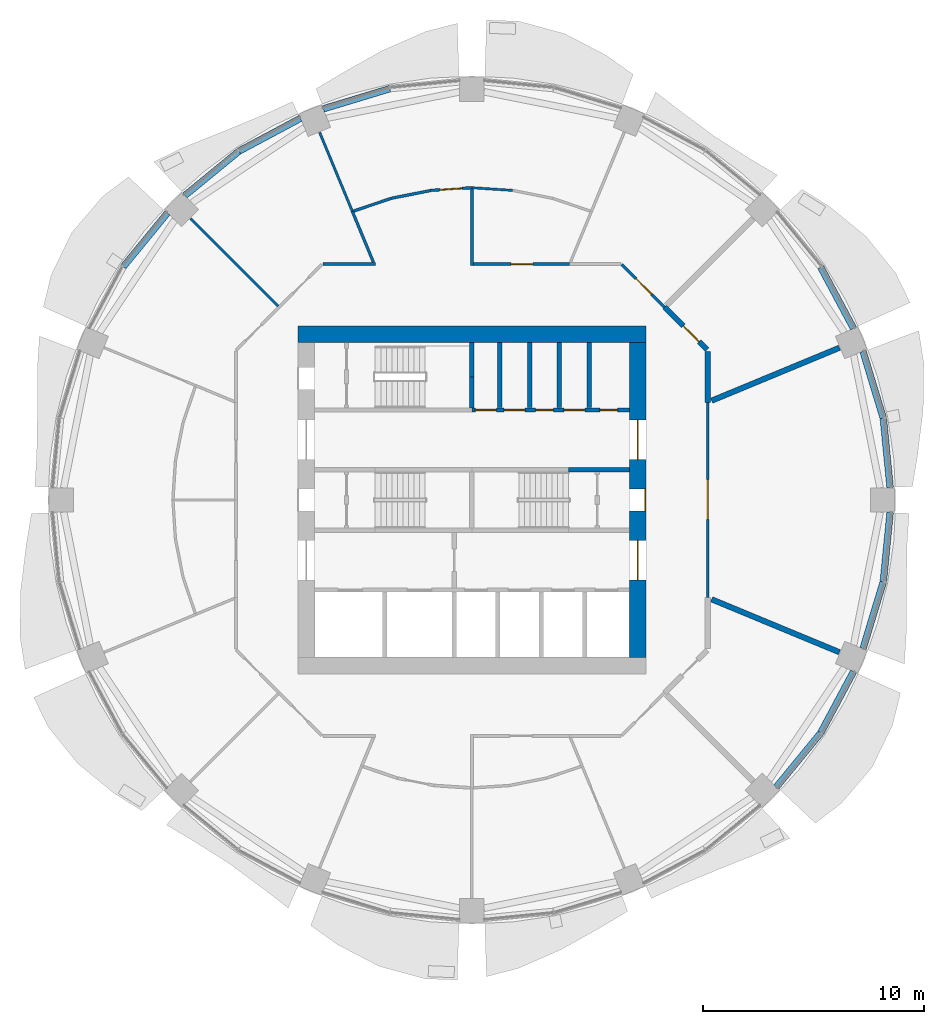
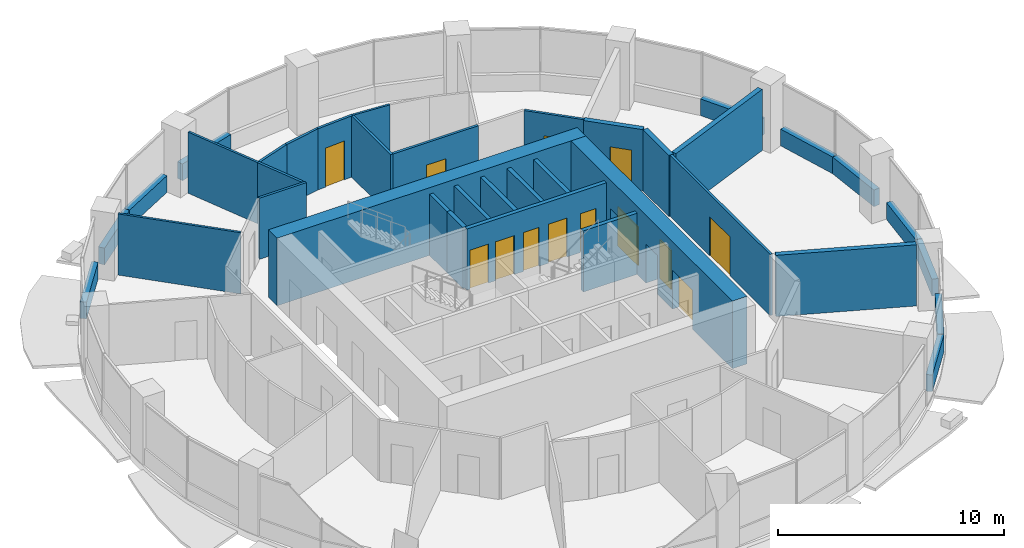
# One storey, part 9 of 14: 37 walls, 13 doors, 13 openings.
"""IFC4 building model written with IfcOpenShell, lengths in metres."""

from ifc_helpers import new_model, si_unit, direction, frame, frame_2d, origin, place, context, subcontext, project, spatial, rectangle, extrude, material, layer, layer_set, type_object, element, fill, save


model = new_model("IFC4")

# Units and contexts
model_context = context("Model", 3, precision=1e-05, world=origin(), true_north=direction((0.0, 1.0)))
body_context = subcontext(model_context, "Body", "Model", "MODEL_VIEW")
ifc_project = project(units=[si_unit("LENGTHUNIT", "METRE"), si_unit("AREAUNIT", "SQUARE_METRE"), si_unit("VOLUMEUNIT", "CUBIC_METRE"), si_unit("PLANEANGLEUNIT", "RADIAN"), si_unit("MASSUNIT", "GRAM", prefix="KILO")], contexts=[model_context])

# Site, building, storey
site_placement = place(None, origin())
site = spatial("IfcSite", under=ifc_project, at=site_placement, CompositionType="ELEMENT")
building_placement = place(site_placement, origin())
building = spatial("IfcBuilding", under=site, at=building_placement, Name="Polderwave Tower", CompositionType="ELEMENT")
storey_placement = place(building_placement, frame((0.0, 0.0, 109.25)))
storey = spatial("IfcBuildingStorey", under=building, at=storey_placement, Name="L28", CompositionType="ELEMENT", Elevation=109.25)

# Wall
ifc_material_1 = material(Name="Concrete C70/85", Category="concrete")
ifc_layer_1 = layer(ifc_material_1, 0.75)
ifc_layer_set_1 = layer_set([ifc_layer_1], Name="CORE WALL 750 C70/85")
wall_type_1 = type_object("IfcWallType", Name="CORE WALL 750 C70/85", PredefinedType="SHEAR", material=ifc_layer_set_1)
wall_1_placement = place(storey_placement, frame((-7.8740234375, 7.4990234375, 0.0), z_axis=(0.0, 0.0, 1.0), x_axis=(1.0, 0.0, 0.0)))
element("IfcWall", 1, at=wall_1_placement, inside=storey, type_object=wall_type_1, Name="ST-CORE-L28-N", PredefinedType="SHEAR", context=body_context, shape_type="SweptSolid", body=[
    extrude(rectangle(XDim=15.748046875, YDim=0.75, at=frame_2d((7.8740234375, 0.0))), origin(), (0.0, 0.0, 1.0), 3.64990234375),
])

# Wall, openings, doors
wall_2_placement = place(storey_placement, frame((7.4990234375, -7.1240234375, 0.0), z_axis=(0.0, 0.0, 1.0), x_axis=(0.0, 1.0, 0.0)))
wall_2 = element("IfcWall", 2, at=wall_2_placement, inside=storey, type_object=wall_type_1, Name="ST-CORE-L28-E", PredefinedType="SHEAR", context=body_context, shape_type="SweptSolid", body=[
    extrude(rectangle(XDim=14.248046875, YDim=0.75, at=frame_2d((7.1240234375, 0.0))), origin(), (0.0, 0.0, 1.0), 3.64990234375),
])
opening_1_placement = place(wall_2_placement, frame((6.6240234375, 0.0, 0.0)))
opening_1 = element("IfcOpeningElement", 3, at=opening_1_placement, cuts=wall_2, Name="Opening L28-D23", PredefinedType="OPENING", context=body_context, shape_type="SweptSolid", body=[
    extrude(rectangle(XDim=1.0, YDim=2.10009765625, at=frame_2d((0.5, 1.050048828125))), frame((0.0, 0.385009765625, 0.0), z_axis=(0.0, -1.0, 0.0), x_axis=(1.0, 0.0, 0.0)), (0.0, 0.0, 1.0), 0.77001953125),
])
opening_2_placement = place(wall_2_placement, frame((3.49951171875, 0.0, 0.0)))
opening_2 = element("IfcOpeningElement", 4, at=opening_2_placement, cuts=wall_2, Name="Opening L28-D24", PredefinedType="OPENING", context=body_context, shape_type="SweptSolid", body=[
    extrude(rectangle(XDim=1.800048828125, YDim=2.10009765625, at=frame_2d((0.89990234375, 1.050048828125))), frame((0.0, 0.385009765625, 0.0), z_axis=(0.0, -1.0, 0.0), x_axis=(1.0, 0.0, 0.0)), (0.0, 0.0, 1.0), 0.77001953125),
])
opening_3_placement = place(wall_2_placement, frame((8.948486328125, 0.0, 0.0)))
opening_3 = element("IfcOpeningElement", 5, at=opening_3_placement, cuts=wall_2, Name="Opening L28-D25", PredefinedType="OPENING", context=body_context, shape_type="SweptSolid", body=[
    extrude(rectangle(XDim=1.800048828125, YDim=2.10009765625, at=frame_2d((0.89990234375, 1.050048828125))), frame((0.0, 0.385009765625, 0.0), z_axis=(0.0, -1.0, 0.0), x_axis=(1.0, 0.0, 0.0)), (0.0, 0.0, 1.0), 0.77001953125),
])
ifc_material_2 = material(Name="Steel fire door", Category="steel")
door_type_1 = type_object("IfcDoorType", Name="Lobby entry door pair 1800", OperationType="DOUBLE_DOOR_SINGLE_SWING", PredefinedType="DOOR", material=ifc_material_2)
door_1_placement = place(opening_2_placement, frame((1.800048828125, 0.0, 0.0), z_axis=(0.0, 0.0, 1.0), x_axis=(-1.0, 0.0, 0.0)))
door_1 = element("IfcDoor", 6, at=door_1_placement, inside=storey, type_object=door_type_1, Name="South lobby entry door", OperationType="DOUBLE_DOOR_SINGLE_SWING", OverallHeight=2.10009765625, OverallWidth=1.800048828125, PredefinedType="DOOR", context=body_context, shape_type="SweptSolid", body=[
    extrude(rectangle(XDim=1.800048828125, YDim=2.10009765625, at=frame_2d((0.89990234375, 1.050048828125))), frame((0.0, 0.02490234375, 0.0), z_axis=(0.0, -1.0, 0.0), x_axis=(1.0, 0.0, 0.0)), (0.0, 0.0, 1.0), 0.050048828125),
])
fill(opening_2, door_1)
door_2_placement = place(opening_3_placement, frame((1.800048828125, 0.0, 0.0), z_axis=(0.0, 0.0, 1.0), x_axis=(-1.0, 0.0, 0.0)))
door_2 = element("IfcDoor", 7, at=door_2_placement, inside=storey, type_object=door_type_1, Name="North lobby entry door", OperationType="DOUBLE_DOOR_SINGLE_SWING", OverallHeight=2.10009765625, OverallWidth=1.800048828125, PredefinedType="DOOR", context=body_context, shape_type="SweptSolid", body=[
    extrude(rectangle(XDim=1.800048828125, YDim=2.10009765625, at=frame_2d((0.89990234375, 1.050048828125))), frame((0.0, 0.02490234375, 0.0), z_axis=(0.0, -1.0, 0.0), x_axis=(1.0, 0.0, 0.0)), (0.0, 0.0, 1.0), 0.050048828125),
])
fill(opening_3, door_2)
door_type_2 = type_object("IfcDoorType", Name="Stair door 1000", OperationType="NOTDEFINED", PredefinedType="DOOR", material=ifc_material_2)
door_3_placement = place(opening_1_placement, frame((1.0, 0.0, 0.0), z_axis=(0.0, 0.0, 1.0), x_axis=(-1.0, 0.0, 0.0)))
door_3 = element("IfcDoor", 8, at=door_3_placement, inside=storey, type_object=door_type_2, Name="Stair B entry door", OperationType="SINGLE_SWING_LEFT", OverallHeight=2.10009765625, OverallWidth=1.0, PredefinedType="DOOR", context=body_context, shape_type="SweptSolid", body=[
    extrude(rectangle(XDim=1.0, YDim=2.10009765625, at=frame_2d((0.5, 1.050048828125))), frame((0.0, 0.375, 0.0), z_axis=(0.0, -1.0, 0.0), x_axis=(1.0, 0.0, 0.0)), (0.0, 0.0, 1.0), 0.050048828125),
])
fill(opening_1, door_3)

# Walls
ifc_material_3 = material(Name="Concrete C50/60 (board-marked)", Category="concrete")
ifc_layer_2 = layer(ifc_material_3, 0.300048828125)
ifc_layer_set_2 = layer_set([ifc_layer_2], Name="Concrete spandrel upstand C50/60")
wall_type_2 = type_object("IfcWallType", Name="Concrete spandrel upstand C50/60", PredefinedType="SOLIDWALL", material=ifc_layer_set_2)
wall_3_placement = place(storey_placement, frame((18.924560546875, 0.56396484375, 0.0), z_axis=(0.0, 0.0, 1.0), x_axis=(-0.098148390136, 0.995171790956, 0.0)))
element("IfcWall", 9, at=wall_3_placement, inside=storey, type_object=wall_type_2, Name="Spandrel L28 1a", PredefinedType="SOLIDWALL", context=body_context, shape_type="SweptSolid", body=[
    extrude(rectangle(XDim=3.13916015625, YDim=0.300048828125, at=frame_2d((1.569580078125, 0.0))), origin(), (0.0, 0.0, 1.0), 0.89990234375),
])
wall_4_placement = place(storey_placement, frame((18.610595703125, 3.71728515625, 0.0), z_axis=(0.0, 0.0, 1.0), x_axis=(-0.290214584271, 0.956961595403, 0.0)))
element("IfcWall", 10, at=wall_4_placement, inside=storey, type_object=wall_type_2, Name="Spandrel L28 1b", PredefinedType="SOLIDWALL", context=body_context, shape_type="SweptSolid", body=[
    extrude(rectangle(XDim=3.139404296875, YDim=0.300048828125, at=frame_2d((1.56982421875, 0.0))), origin(), (0.0, 0.0, 1.0), 0.89990234375),
])
wall_5_placement = place(storey_placement, frame((17.267822265625, 7.76318359375, 0.0), z_axis=(0.0, 0.0, 1.0), x_axis=(-0.471375185282, 0.88193278355, 0.0)))
element("IfcWall", 11, at=wall_5_placement, inside=storey, type_object=wall_type_2, Name="Spandrel L28 2a", PredefinedType="SOLIDWALL", context=body_context, shape_type="SweptSolid", body=[
    extrude(rectangle(XDim=3.13916015625, YDim=0.300048828125, at=frame_2d((1.569580078125, 0.0))), origin(), (0.0, 0.0, 1.0), 0.89990234375),
])
wall_6_placement = place(storey_placement, frame((-3.71728515625, 18.610595703125, 0.0), z_axis=(0.0, 0.0, 1.0), x_axis=(-0.956961595403, -0.290214584271, 0.0)))
element("IfcWall", 12, at=wall_6_placement, inside=storey, type_object=wall_type_2, Name="Spandrel L28 5b", PredefinedType="SOLIDWALL", context=body_context, shape_type="SweptSolid", body=[
    extrude(rectangle(XDim=3.139404296875, YDim=0.300048828125, at=frame_2d((1.56982421875, 0.0))), origin(), (0.0, 0.0, 1.0), 0.89990234375),
])
wall_7_placement = place(storey_placement, frame((-7.76318359375, 17.267822265625, 0.0), z_axis=(0.0, 0.0, 1.0), x_axis=(-0.88193278355, -0.471375185282, 0.0)))
element("IfcWall", 13, at=wall_7_placement, inside=storey, type_object=wall_type_2, Name="Spandrel L28 6a", PredefinedType="SOLIDWALL", context=body_context, shape_type="SweptSolid", body=[
    extrude(rectangle(XDim=3.13916015625, YDim=0.300048828125, at=frame_2d((1.569580078125, 0.0))), origin(), (0.0, 0.0, 1.0), 0.89990234375),
])
for number, where, z_axis, x_axis, name in (
    (14, (-10.556640625, 15.771484375, 0.0), (0.0, 0.0, 1.0), (-0.773107597536, -0.634274895162, 0.0), "Spandrel L28 6b"),
    (15, (-13.780517578125, 12.9833984375, 0.0), (0.0, 0.0, 1.0), (-0.634274895162, -0.773107597536, 0.0), "Spandrel L28 7a"),
    (16, (13.780517578125, -12.9833984375, 0.0), (0.0, 0.0, 1.0), (0.634274895162, 0.773107597536, 0.0), "Spandrel L28 15a"),
):
    element("IfcWall", number, at=place(storey_placement, frame(where, z_axis=z_axis, x_axis=x_axis)), inside=storey, type_object=wall_type_2, Name=name, PredefinedType="SOLIDWALL", context=body_context, shape_type="SweptSolid", body=[
        extrude(rectangle(XDim=3.138916015625, YDim=0.300048828125, at=frame_2d((1.5693359375, 0.0))), origin(), (0.0, 0.0, 1.0), 0.89990234375),
    ])
wall_8_placement = place(storey_placement, frame((15.7880859375, -10.53173828125, 0.0), z_axis=(0.0, 0.0, 1.0), x_axis=(0.471375185282, 0.88193278355, 0.0)))
element("IfcWall", 17, at=wall_8_placement, inside=storey, type_object=wall_type_2, Name="Spandrel L28 15b", PredefinedType="SOLIDWALL", context=body_context, shape_type="SweptSolid", body=[
    extrude(rectangle(XDim=3.13916015625, YDim=0.300048828125, at=frame_2d((1.569580078125, 0.0))), origin(), (0.0, 0.0, 1.0), 0.89990234375),
])
wall_9_placement = place(storey_placement, frame((17.699462890625, -6.7216796875, 0.0), z_axis=(0.0, 0.0, 1.0), x_axis=(0.290214584271, 0.956961595403, 0.0)))
element("IfcWall", 18, at=wall_9_placement, inside=storey, type_object=wall_type_2, Name="Spandrel L28 16a", PredefinedType="SOLIDWALL", context=body_context, shape_type="SweptSolid", body=[
    extrude(rectangle(XDim=3.139404296875, YDim=0.300048828125, at=frame_2d((1.56982421875, 0.0))), origin(), (0.0, 0.0, 1.0), 0.89990234375),
])
wall_10_placement = place(storey_placement, frame((18.616455078125, -3.68798828125, 0.0), z_axis=(0.0, 0.0, 1.0), x_axis=(0.098148390136, 0.995171790956, 0.0)))
element("IfcWall", 19, at=wall_10_placement, inside=storey, type_object=wall_type_2, Name="Spandrel L28 16b", PredefinedType="SOLIDWALL", context=body_context, shape_type="SweptSolid", body=[
    extrude(rectangle(XDim=3.13916015625, YDim=0.300048828125, at=frame_2d((1.569580078125, 0.0))), origin(), (0.0, 0.0, 1.0), 0.89990234375),
])
ifc_material_4 = material(Name="Gypsum board partition")
ifc_layer_3 = layer(ifc_material_4, 0.199951171875)
ifc_layer_set_3 = layer_set([ifc_layer_3], Name="Core room partition 200")
wall_type_3 = type_object("IfcWallType", Name="Core room partition 200", PredefinedType="PARTITIONING", material=ifc_layer_set_3)
for number, where, z_axis, x_axis, name in (
    (20, (1.260009765625, 4.174072265625, 0.0), (0.0, 0.0, 1.0), (0.0, 1.0, 0.0), "L28 room partition N1"),
    (21, (2.608642578125, 4.174072265625, 0.0), (0.0, 0.0, 1.0), (0.0, 1.0, 0.0), "L28 room partition N2"),
    (22, (3.95703125, 4.174072265625, 0.0), (0.0, 0.0, 1.0), (0.0, 1.0, 0.0), "L28 room partition N3"),
):
    element("IfcWall", number, at=place(storey_placement, frame(where, z_axis=z_axis, x_axis=x_axis)), inside=storey, type_object=wall_type_3, Name=name, PredefinedType="PARTITIONING", context=body_context, shape_type="SweptSolid", body=[
        extrude(rectangle(XDim=2.949951171875, YDim=0.199951171875, at=frame_2d((1.47509765625, 0.0))), origin(), (0.0, 0.0, 1.0), 3.300048828125),
    ])

# Wall, openings, doors
ifc_material_5 = material(Name="Concrete C50/60", Category="concrete")
ifc_layer_4 = layer(ifc_material_5, 0.199951171875)
ifc_layer_set_4 = layer_set([ifc_layer_4], Name="Core web wall 200")
wall_type_4 = type_object("IfcWallType", Name="Core web wall 200", PredefinedType="SHEAR", material=ifc_layer_set_4)
wall_11_placement = place(storey_placement, frame((0.0, 4.073974609375, 0.0), z_axis=(0.0, 0.0, 1.0), x_axis=(1.0, 0.0, 0.0)))
wall_11 = element("IfcWall", 23, at=wall_11_placement, inside=storey, type_object=wall_type_4, Name="L28 north front wall 2", PredefinedType="SHEAR", context=body_context, shape_type="SweptSolid", body=[
    extrude(rectangle(XDim=7.1240234375, YDim=0.199951171875, at=frame_2d((3.56201171875, 0.0))), origin(), (0.0, 0.0, 1.0), 3.300048828125),
])
opening_4_placement = place(wall_11_placement, frame((0.155029296875, 0.0, 0.0)))
opening_4 = element("IfcOpeningElement", 24, at=opening_4_placement, cuts=wall_11, Name="Opening L28-D14", PredefinedType="OPENING", context=body_context, shape_type="SweptSolid", body=[
    extrude(rectangle(XDim=0.949951171875, YDim=2.10009765625, at=frame_2d((0.47509765625, 1.050048828125))), frame((0.0, 0.10986328125, 0.0), z_axis=(0.0, -1.0, 0.0), x_axis=(1.0, 0.0, 0.0)), (0.0, 0.0, 1.0), 0.219970703125),
])
opening_5_placement = place(wall_11_placement, frame((1.459228515625, 0.0, 0.0)))
opening_5 = element("IfcOpeningElement", 25, at=opening_5_placement, cuts=wall_11, Name="Opening L28-D15", PredefinedType="OPENING", context=body_context, shape_type="SweptSolid", body=[
    extrude(rectangle(XDim=0.949951171875, YDim=2.10009765625, at=frame_2d((0.47509765625, 1.050048828125))), frame((0.0, 0.10986328125, 0.0), z_axis=(0.0, -1.0, 0.0), x_axis=(1.0, 0.0, 0.0)), (0.0, 0.0, 1.0), 0.219970703125),
])
opening_6_placement = place(wall_11_placement, frame((2.8828125, 0.0, 0.0)))
opening_6 = element("IfcOpeningElement", 26, at=opening_6_placement, cuts=wall_11, Name="Opening L28-D16", PredefinedType="OPENING", context=body_context, shape_type="SweptSolid", body=[
    extrude(rectangle(XDim=0.800048828125, YDim=2.10009765625, at=frame_2d((0.39990234375, 1.050048828125))), frame((0.0, 0.10986328125, 0.0), z_axis=(0.0, -1.0, 0.0), x_axis=(1.0, 0.0, 0.0)), (0.0, 0.0, 1.0), 0.219970703125),
])
opening_7_placement = place(wall_11_placement, frame((4.15625, 0.0, 0.0)))
opening_7 = element("IfcOpeningElement", 27, at=opening_7_placement, cuts=wall_11, Name="Opening L28-D17", PredefinedType="OPENING", context=body_context, shape_type="SweptSolid", body=[
    extrude(rectangle(XDim=0.949951171875, YDim=2.10009765625, at=frame_2d((0.47509765625, 1.050048828125))), frame((0.0, 0.10986328125, 0.0), z_axis=(0.0, -1.0, 0.0), x_axis=(1.0, 0.0, 0.0)), (0.0, 0.0, 1.0), 0.219970703125),
])
opening_8_placement = place(wall_11_placement, frame((5.789794921875, 0.0, 0.0)))
opening_8 = element("IfcOpeningElement", 28, at=opening_8_placement, cuts=wall_11, Name="Opening L28-D18", PredefinedType="OPENING", context=body_context, shape_type="SweptSolid", body=[
    extrude(rectangle(XDim=0.800048828125, YDim=2.10009765625, at=frame_2d((0.39990234375, 1.050048828125))), frame((0.0, 0.10986328125, 0.0), z_axis=(0.0, -1.0, 0.0), x_axis=(1.0, 0.0, 0.0)), (0.0, 0.0, 1.0), 0.219970703125),
])
door_type_3 = type_object("IfcDoorType", Name="Riser door 800", OperationType="NOTDEFINED", PredefinedType="DOOR", material=ifc_material_2)
door_4_placement = place(opening_6_placement, frame((0.800048828125, 0.0, 0.0), z_axis=(0.0, 0.0, 1.0), x_axis=(-1.0, 0.0, 0.0)))
door_4 = element("IfcDoor", 29, at=door_4_placement, inside=storey, type_object=door_type_3, Name="Electrical room door", OperationType="SINGLE_SWING_RIGHT", OverallHeight=2.10009765625, OverallWidth=0.800048828125, PredefinedType="DOOR", context=body_context, shape_type="SweptSolid", body=[
    extrude(rectangle(XDim=0.800048828125, YDim=2.10009765625, at=frame_2d((0.39990234375, 1.050048828125))), frame((0.0, 0.02490234375, 0.0), z_axis=(0.0, -1.0, 0.0), x_axis=(1.0, 0.0, 0.0)), (0.0, 0.0, 1.0), 0.050048828125),
])
fill(opening_6, door_4)
door_5_placement = place(opening_8_placement, frame((0.800048828125, 0.0, 0.0), z_axis=(0.0, 0.0, 1.0), x_axis=(-1.0, 0.0, 0.0)))
door_5 = element("IfcDoor", 30, at=door_5_placement, inside=storey, type_object=door_type_3, Name="Riser door", OperationType="SINGLE_SWING_LEFT", OverallHeight=2.10009765625, OverallWidth=0.800048828125, PredefinedType="DOOR", context=body_context, shape_type="SweptSolid", body=[
    extrude(rectangle(XDim=0.800048828125, YDim=2.10009765625, at=frame_2d((0.39990234375, 1.050048828125))), frame((0.0, 0.02490234375, 0.0), z_axis=(0.0, -1.0, 0.0), x_axis=(1.0, 0.0, 0.0)), (0.0, 0.0, 1.0), 0.050048828125),
])
fill(opening_8, door_5)
ifc_material_6 = material(Name="Timber door leaf", Category="wood")
door_type_4 = type_object("IfcDoorType", Name="Room door 950", OperationType="NOTDEFINED", PredefinedType="DOOR", material=ifc_material_6)
door_6_placement = place(opening_4_placement, origin())
door_6 = element("IfcDoor", 31, at=door_6_placement, inside=storey, type_object=door_type_4, Name="Staff WC door", OperationType="SINGLE_SWING_LEFT", OverallHeight=2.10009765625, OverallWidth=0.949951171875, PredefinedType="DOOR", context=body_context, shape_type="SweptSolid", body=[
    extrude(rectangle(XDim=0.949951171875, YDim=2.10009765625, at=frame_2d((0.47509765625, 1.050048828125))), frame((0.0, 0.02490234375, 0.0), z_axis=(0.0, -1.0, 0.0), x_axis=(1.0, 0.0, 0.0)), (0.0, 0.0, 1.0), 0.050048828125),
])
fill(opening_4, door_6)
door_7_placement = place(opening_5_placement, origin())
door_7 = element("IfcDoor", 32, at=door_7_placement, inside=storey, type_object=door_type_4, Name="Refuse store door", OperationType="SINGLE_SWING_LEFT", OverallHeight=2.10009765625, OverallWidth=0.949951171875, PredefinedType="DOOR", context=body_context, shape_type="SweptSolid", body=[
    extrude(rectangle(XDim=0.949951171875, YDim=2.10009765625, at=frame_2d((0.47509765625, 1.050048828125))), frame((0.0, 0.02490234375, 0.0), z_axis=(0.0, -1.0, 0.0), x_axis=(1.0, 0.0, 0.0)), (0.0, 0.0, 1.0), 0.050048828125),
])
fill(opening_5, door_7)
door_8_placement = place(opening_7_placement, origin())
door_8 = element("IfcDoor", 33, at=door_8_placement, inside=storey, type_object=door_type_4, Name="Seed store door", OperationType="SINGLE_SWING_RIGHT", OverallHeight=2.10009765625, OverallWidth=0.949951171875, PredefinedType="DOOR", context=body_context, shape_type="SweptSolid", body=[
    extrude(rectangle(XDim=0.949951171875, YDim=2.10009765625, at=frame_2d((0.47509765625, 1.050048828125))), frame((0.0, 0.02490234375, 0.0), z_axis=(0.0, -1.0, 0.0), x_axis=(1.0, 0.0, 0.0)), (0.0, 0.0, 1.0), 0.050048828125),
])
fill(opening_7, door_8)

# Walls
wall_12_placement = place(storey_placement, frame((4.3740234375, 1.375, 0.0), z_axis=(0.0, 0.0, 1.0), x_axis=(1.0, 0.0, 0.0)))
element("IfcWall", 34, at=wall_12_placement, inside=storey, type_object=wall_type_4, Name="L28 north stair wall 4", PredefinedType="SHEAR", context=body_context, shape_type="SweptSolid", body=[
    extrude(rectangle(XDim=2.75, YDim=0.199951171875, at=frame_2d((1.375, 0.0))), origin(), (0.0, 0.0, 1.0), 3.300048828125),
])
wall_13_placement = place(storey_placement, frame((0.0, 4.174072265625, 0.0), z_axis=(0.0, 0.0, 1.0), x_axis=(0.0, 1.0, 0.0)))
element("IfcWall", 35, at=wall_13_placement, inside=storey, type_object=wall_type_4, Name="L28 stair C wall south", PredefinedType="SHEAR", context=body_context, shape_type="SweptSolid", body=[
    extrude(rectangle(XDim=1.39990234375, YDim=0.199951171875, at=frame_2d((0.699951171875, 0.0))), origin(), (0.0, 0.0, 1.0), 3.300048828125),
])
wall_14_placement = place(storey_placement, frame((0.0, 5.573974609375, 0.0), z_axis=(0.0, 0.0, 1.0), x_axis=(0.0, 1.0, 0.0)))
element("IfcWall", 36, at=wall_14_placement, inside=storey, type_object=wall_type_4, Name="L28 stair C wall north", PredefinedType="SHEAR", context=body_context, shape_type="SweptSolid", body=[
    extrude(rectangle(XDim=1.550048828125, YDim=0.199951171875, at=frame_2d((0.77490234375, 0.0))), origin(), (0.0, 0.0, 1.0), 3.300048828125),
])

# Wall, opening, door
ifc_material_7 = material(Name="Fire-resisting board on steel studs", Category="steel")
ifc_layer_5 = layer(ifc_material_7, 0.125)
ifc_layer_set_5 = layer_set([ifc_layer_5], Name="Corridor wall 125 mm EI 60")
wall_type_5 = type_object("IfcWallType", Name="Corridor wall 125 mm EI 60", PredefinedType="PARTITIONING", material=ifc_layer_set_5)
wall_15_placement = place(storey_placement, frame((10.674072265625, 4.42138671875, 0.0), z_axis=(0.0, 0.0, 1.0), x_axis=(0.0, -1.0, 0.0)))
wall_15 = element("IfcWall", 37, at=wall_15_placement, inside=storey, type_object=wall_type_5, Name="IN-L28-W001", PredefinedType="PARTITIONING", context=body_context, shape_type="SweptSolid", body=[
    extrude(rectangle(XDim=8.8427734375, YDim=0.125, at=frame_2d((4.42138671875, 0.0))), origin(), (0.0, 0.0, 1.0), 3.300048828125),
])
opening_9_placement = place(wall_15_placement, frame((3.5, 0.0, 0.0)))
opening_9 = element("IfcOpeningElement", 38, at=opening_9_placement, cuts=wall_15, Name="Opening L28-D50", PredefinedType="OPENING", context=body_context, shape_type="SweptSolid", body=[
    extrude(rectangle(XDim=1.800048828125, YDim=2.10009765625, at=frame_2d((0.89990234375, 1.050048828125))), frame((0.0, 0.072509765625, 0.0), z_axis=(0.0, -1.0, 0.0), x_axis=(1.0, 0.0, 0.0)), (0.0, 0.0, 1.0), 0.14501953125),
])
ifc_material_8 = material(Name="Timber fire door leaves", Category="wood")
door_type_5 = type_object("IfcDoorType", Name="Double fire door FD30S 1800 x 2100", OperationType="NOTDEFINED", PredefinedType="DOOR", material=ifc_material_8)
door_9_placement = place(opening_9_placement, origin())
door_9 = element("IfcDoor", 39, at=door_9_placement, inside=storey, type_object=door_type_5, Name="Door L28-D50", OperationType="DOUBLE_DOOR_SINGLE_SWING", OverallHeight=2.10009765625, OverallWidth=1.800048828125, PredefinedType="DOOR", context=body_context, shape_type="SweptSolid", body=[
    extrude(rectangle(XDim=1.800048828125, YDim=2.10009765625, at=frame_2d((0.89990234375, 1.050048828125))), frame((0.0, 0.02490234375, 0.0), z_axis=(0.0, -1.0, 0.0), x_axis=(1.0, 0.0, 0.0)), (0.0, 0.0, 1.0), 0.050048828125),
])
fill(opening_9, door_9)

wall_16_placement = place(storey_placement, frame((6.789306640625, 10.65576171875, 0.0), z_axis=(0.0, 0.0, 1.0), x_axis=(0.707062130741, -0.707151428813, 0.0)))
wall_16 = element("IfcWall", 40, at=wall_16_placement, inside=storey, type_object=wall_type_5, Name="IN-L28-W007", PredefinedType="PARTITIONING", context=body_context, shape_type="SweptSolid", body=[
    extrude(rectangle(XDim=2.73388671875, YDim=0.125, at=frame_2d((1.366943359375, 0.0))), origin(), (0.0, 0.0, 1.0), 3.300048828125),
])
opening_10_placement = place(wall_16_placement, frame((0.89990234375, 0.0, 0.0)))
opening_10 = element("IfcOpeningElement", 41, at=opening_10_placement, cuts=wall_16, Name="Opening L28-D53", PredefinedType="OPENING", context=body_context, shape_type="SweptSolid", body=[
    extrude(rectangle(XDim=1.0, YDim=2.10009765625, at=frame_2d((0.5, 1.050048828125))), frame((0.0, 0.072509765625, 0.0), z_axis=(0.0, -1.0, 0.0), x_axis=(1.0, 0.0, 0.0)), (0.0, 0.0, 1.0), 0.14501953125),
])
ifc_material_9 = material(Name="Timber fire door leaf", Category="wood")
door_type_6 = type_object("IfcDoorType", Name="Fire door FD30S 1000 x 2100", OperationType="NOTDEFINED", PredefinedType="DOOR", material=ifc_material_9)
door_10_placement = place(opening_10_placement, origin())
door_10 = element("IfcDoor", 42, at=door_10_placement, inside=storey, type_object=door_type_6, Name="Door L28-D53", OperationType="SINGLE_SWING_RIGHT", OverallHeight=2.10009765625, OverallWidth=1.0, PredefinedType="DOOR", context=body_context, shape_type="SweptSolid", body=[
    extrude(rectangle(XDim=1.0, YDim=2.10009765625, at=frame_2d((0.5, 1.050048828125))), frame((0.0, 0.02490234375, 0.0), z_axis=(0.0, -1.0, 0.0), x_axis=(1.0, 0.0, 0.0)), (0.0, 0.0, 1.0), 0.050048828125),
])
fill(opening_10, door_10)

wall_17_placement = place(storey_placement, frame((0.0625, 10.674072265625, 0.0), z_axis=(0.0, 0.0, 1.0), x_axis=(1.0, 0.0, 0.0)))
wall_17 = element("IfcWall", 43, at=wall_17_placement, inside=storey, type_object=wall_type_5, Name="IN-L28-W008", PredefinedType="PARTITIONING", context=body_context, shape_type="SweptSolid", body=[
    extrude(rectangle(XDim=4.35888671875, YDim=0.125, at=frame_2d((2.179443359375, 0.0))), origin(), (0.0, 0.0, 1.0), 3.300048828125),
])
opening_11_placement = place(wall_17_placement, frame((1.699951171875, 0.0, 0.0)))
opening_11 = element("IfcOpeningElement", 44, at=opening_11_placement, cuts=wall_17, Name="Opening L28-D54", PredefinedType="OPENING", context=body_context, shape_type="SweptSolid", body=[
    extrude(rectangle(XDim=1.0, YDim=2.10009765625, at=frame_2d((0.5, 1.050048828125))), frame((0.0, 0.072509765625, 0.0), z_axis=(0.0, -1.0, 0.0), x_axis=(1.0, 0.0, 0.0)), (0.0, 0.0, 1.0), 0.14501953125),
])
door_11_placement = place(opening_11_placement, origin())
door_11 = element("IfcDoor", 45, at=door_11_placement, inside=storey, type_object=door_type_6, Name="Door L28-D54", OperationType="SINGLE_SWING_RIGHT", OverallHeight=2.10009765625, OverallWidth=1.0, PredefinedType="DOOR", context=body_context, shape_type="SweptSolid", body=[
    extrude(rectangle(XDim=1.0, YDim=2.10009765625, at=frame_2d((0.5, 1.050048828125))), frame((0.0, 0.02490234375, 0.0), z_axis=(0.0, -1.0, 0.0), x_axis=(1.0, 0.0, 0.0)), (0.0, 0.0, 1.0), 0.050048828125),
])
fill(opening_11, door_11)

# Walls
wall_18_placement = place(storey_placement, frame((-6.7451171875, 10.674072265625, 0.0), z_axis=(0.0, 0.0, 1.0), x_axis=(1.0, 0.0, 0.0)))
element("IfcWall", 46, at=wall_18_placement, inside=storey, type_object=wall_type_5, Name="IN-L28-W010", PredefinedType="PARTITIONING", context=body_context, shape_type="SweptSolid", body=[
    extrude(rectangle(XDim=2.38623046875, YDim=0.125, at=frame_2d((1.193115234375, 0.0))), origin(), (0.0, 0.0, 1.0), 3.300048828125),
])
wall_19_placement = place(storey_placement, frame((0.0, 10.611572265625, 0.0), z_axis=(0.0, 0.0, 1.0), x_axis=(0.0, 1.0, 0.0)))
element("IfcWall", 47, at=wall_19_placement, inside=storey, type_object=wall_type_5, Name="IN-L28-W030", PredefinedType="PARTITIONING", context=body_context, shape_type="SweptSolid", body=[
    extrude(rectangle(XDim=3.45166015625, YDim=0.125, at=frame_2d((1.725830078125, 0.0))), origin(), (0.0, 0.0, 1.0), 3.300048828125),
])
wall_20_placement = place(storey_placement, frame((-3.660888671875, 13.647216796875, 0.0), z_axis=(0.0, 0.0, 1.0), x_axis=(-0.946896580983, -0.321538279095, 0.0)))
element("IfcWall", 48, at=wall_20_placement, inside=storey, type_object=wall_type_5, Name="IN-L28-W031", PredefinedType="PARTITIONING", context=body_context, shape_type="SweptSolid", body=[
    extrude(rectangle(XDim=1.777587890625, YDim=0.125, at=frame_2d((0.888671875, 0.0))), origin(), (0.0, 0.0, 1.0), 3.300048828125),
])
wall_21_placement = place(storey_placement, frame((-1.848388671875, 14.00830078125, 0.0), z_axis=(0.0, 0.0, 1.0), x_axis=(-0.980794424524, -0.195044345786, 0.0)))
element("IfcWall", 49, at=wall_21_placement, inside=storey, type_object=wall_type_5, Name="IN-L28-W032", PredefinedType="PARTITIONING", context=body_context, shape_type="SweptSolid", body=[
    extrude(rectangle(XDim=1.840087890625, YDim=0.125, at=frame_2d((0.919921875, 0.0))), origin(), (0.0, 0.0, 1.0), 3.300048828125),
])

# Wall, opening, door
wall_22_placement = place(storey_placement, frame((-1.840087890625, 14.009521484375, 0.0), z_axis=(0.0, 0.0, 1.0), x_axis=(0.9978675644, 0.065271156859, 0.0)))
wall_22 = element("IfcWall", 50, at=wall_22_placement, inside=storey, type_object=wall_type_5, Name="IN-L28-W033", PredefinedType="PARTITIONING", context=body_context, shape_type="SweptSolid", body=[
    extrude(rectangle(XDim=1.843994140625, YDim=0.125, at=frame_2d((0.921875, 0.0))), origin(), (0.0, 0.0, 1.0), 3.300048828125),
])
opening_12_placement = place(wall_22_placement, frame((0.39990234375, 0.0, 0.0)))
opening_12 = element("IfcOpeningElement", 51, at=opening_12_placement, cuts=wall_22, Name="Opening L28-D63", PredefinedType="OPENING", context=body_context, shape_type="SweptSolid", body=[
    extrude(rectangle(XDim=1.0, YDim=2.10009765625, at=frame_2d((0.5, 1.050048828125))), frame((0.0, 0.072509765625, 0.0), z_axis=(0.0, -1.0, 0.0), x_axis=(1.0, 0.0, 0.0)), (0.0, 0.0, 1.0), 0.14501953125),
])
door_12_placement = place(opening_12_placement, origin())
door_12 = element("IfcDoor", 52, at=door_12_placement, inside=storey, type_object=door_type_6, Name="Door L28-D63", OperationType="SINGLE_SWING_LEFT", OverallHeight=2.10009765625, OverallWidth=1.0, PredefinedType="DOOR", context=body_context, shape_type="SweptSolid", body=[
    extrude(rectangle(XDim=1.0, YDim=2.10009765625, at=frame_2d((0.5, 1.050048828125))), frame((0.0, 0.02490234375, 0.0), z_axis=(0.0, -1.0, 0.0), x_axis=(1.0, 0.0, 0.0)), (0.0, 0.0, 1.0), 0.050048828125),
])
fill(opening_12, door_12)

# Walls
wall_23_placement = place(storey_placement, frame((-4.45703125, 10.760498046875, 0.0), z_axis=(0.0, 0.0, 1.0), x_axis=(-0.38268757567, 0.923877816288, 0.0)))
element("IfcWall", 53, at=wall_23_placement, inside=storey, type_object=wall_type_5, Name="IN-L28-W035", PredefinedType="PARTITIONING", context=body_context, shape_type="SweptSolid", body=[
    extrude(rectangle(XDim=2.48291015625, YDim=0.125, at=frame_2d((1.241455078125, 0.0))), origin(), (0.0, 0.0, 1.0), 3.300048828125),
])
ifc_material_10 = material(Name="Moisture-resistant board on steel studs, tiled", Category="steel")
ifc_layer_6 = layer(ifc_material_10, 0.10498046875)
ifc_layer_set_6 = layer_set([ifc_layer_6], Name="Partition 105 mm wet room board and tile")
wall_type_6 = type_object("IfcWallType", Name="Partition 105 mm wet room board and tile", PredefinedType="PARTITIONING", material=ifc_layer_set_6)
wall_24_placement = place(storey_placement, frame((0.0, 14.1298828125, 0.0), z_axis=(0.0, 0.0, 1.0), x_axis=(0.997860630529, -0.065377075793, 0.0)))
element("IfcWall", 54, at=wall_24_placement, inside=storey, type_object=wall_type_6, Name="IN-L28-W027", PredefinedType="PARTITIONING", context=body_context, shape_type="SweptSolid", body=[
    extrude(rectangle(XDim=1.8447265625, YDim=0.10498046875, at=frame_2d((0.92236328125, 0.0))), origin(), (0.0, 0.0, 1.0), 3.300048828125),
])
ifc_material_11 = material(Name="Acoustic double plasterboard on steel studs", Category="steel")
ifc_layer_7 = layer(ifc_material_11, 0.110107421875)
ifc_layer_set_7 = layer_set([ifc_layer_7], Name="Partition 110 mm acoustic double board")
wall_type_7 = type_object("IfcWallType", Name="Partition 110 mm acoustic double board", PredefinedType="PARTITIONING", material=ifc_layer_set_7)
wall_25_placement = place(storey_placement, frame((-5.4072265625, 13.054443359375, 0.0), z_axis=(0.0, 0.0, 1.0), x_axis=(-0.382674944996, 0.923883048049, 0.0)))
element("IfcWall", 55, at=wall_25_placement, inside=storey, type_object=wall_type_7, Name="IN-L28-W034", PredefinedType="PARTITIONING", context=body_context, shape_type="SweptSolid", body=[
    extrude(rectangle(XDim=3.8701171875, YDim=0.110107421875, at=frame_2d((1.93505859375, 0.0))), origin(), (0.0, 0.0, 1.0), 3.300048828125),
])
wall_26_placement = place(storey_placement, frame((-8.7666015625, 8.7666015625, 0.0), z_axis=(0.0, 0.0, 1.0), x_axis=(-0.707106781187, 0.707106781187, 0.0)))
element("IfcWall", 56, at=wall_26_placement, inside=storey, type_object=wall_type_7, Name="IN-L28-W036", PredefinedType="PARTITIONING", context=body_context, shape_type="SweptSolid", body=[
    extrude(rectangle(XDim=5.60205078125, YDim=0.110107421875, at=frame_2d((2.801025390625, 0.0))), origin(), (0.0, 0.0, 1.0), 3.300048828125),
])

# Wall, opening, door
ifc_material_12 = material(Name="Fire-resisting board on steel studs, mineral wool", Category="steel")
ifc_layer_8 = layer(ifc_material_12, 0.25)
ifc_layer_set_8 = layer_set([ifc_layer_8], Name="Plant room wall 250 mm EI 120")
wall_type_8 = type_object("IfcWallType", Name="Plant room wall 250 mm EI 120", PredefinedType="PARTITIONING", material=ifc_layer_set_8)
wall_27_placement = place(storey_placement, frame((8.722412109375, 8.722412109375, 0.0), z_axis=(0.0, 0.0, 1.0), x_axis=(0.707151855722, -0.707061703777, 0.0)))
wall_27 = element("IfcWall", 57, at=wall_27_placement, inside=storey, type_object=wall_type_8, Name="IN-L28-W002", PredefinedType="PARTITIONING", context=body_context, shape_type="SweptSolid", body=[
    extrude(rectangle(XDim=2.7080078125, YDim=0.25, at=frame_2d((1.35400390625, 0.0))), origin(), (0.0, 0.0, 1.0), 3.300048828125),
])
opening_13_placement = place(wall_27_placement, frame((1.199951171875, 0.0, 0.0)))
opening_13 = element("IfcOpeningElement", 58, at=opening_13_placement, cuts=wall_27, Name="Opening L28-D51", PredefinedType="OPENING", context=body_context, shape_type="SweptSolid", body=[
    extrude(rectangle(XDim=1.0, YDim=2.10009765625, at=frame_2d((0.5, 1.050048828125))), frame((0.0, 0.135009765625, 0.0), z_axis=(0.0, -1.0, 0.0), x_axis=(1.0, 0.0, 0.0)), (0.0, 0.0, 1.0), 0.27001953125),
])
ifc_material_13 = material(Name="Steel plant door leaf", Category="steel")
door_type_7 = type_object("IfcDoorType", Name="Plant door FD60 1000 x 2100 steel", OperationType="NOTDEFINED", PredefinedType="DOOR", material=ifc_material_13)
door_13_placement = place(opening_13_placement, origin())
door_13 = element("IfcDoor", 59, at=door_13_placement, inside=storey, type_object=door_type_7, Name="Door L28-D51", OperationType="SINGLE_SWING_RIGHT", OverallHeight=2.10009765625, OverallWidth=1.0, PredefinedType="DOOR", context=body_context, shape_type="SweptSolid", body=[
    extrude(rectangle(XDim=1.0, YDim=2.10009765625, at=frame_2d((0.5, 1.050048828125))), frame((0.0, 0.02490234375, 0.0), z_axis=(0.0, -1.0, 0.0), x_axis=(1.0, 0.0, 0.0)), (0.0, 0.0, 1.0), 0.050048828125),
])
fill(opening_13, door_13)

# Walls
wall_28_placement = place(storey_placement, frame((10.674072265625, 6.71923828125, 0.0), z_axis=(0.0, 0.0, 1.0), x_axis=(0.0, -1.0, 0.0)))
element("IfcWall", 60, at=wall_28_placement, inside=storey, type_object=wall_type_8, Name="IN-L28-W003", PredefinedType="PARTITIONING", context=body_context, shape_type="SweptSolid", body=[
    extrude(rectangle(XDim=2.2978515625, YDim=0.25, at=frame_2d((1.14892578125, 0.0))), origin(), (0.0, 0.0, 1.0), 3.300048828125),
])
for number, where, z_axis, x_axis, name in (
    (61, (10.8466796875, 4.492919921875, 0.0), (0.0, 0.0, 1.0), (0.923891816603, 0.382653774599, 0.0), "IN-L28-W022"),
    (62, (16.6298828125, -6.88818359375, 0.0), (0.0, 0.0, 1.0), (-0.923891816603, 0.382653774599, 0.0), "IN-L28-W023"),
):
    element("IfcWall", number, at=place(storey_placement, frame(where, z_axis=z_axis, x_axis=x_axis)), inside=storey, type_object=wall_type_8, Name=name, PredefinedType="PARTITIONING", context=body_context, shape_type="SweptSolid", body=[
        extrude(rectangle(XDim=6.259521484375, YDim=0.25, at=frame_2d((3.1298828125, 0.0))), origin(), (0.0, 0.0, 1.0), 3.300048828125),
    ])
ifc_material_14 = material(Name="Gypsum shaft wall system")
ifc_layer_9 = layer(ifc_material_14, 0.199951171875)
ifc_layer_set_9 = layer_set([ifc_layer_9], Name="Shaft wall 200")
wall_type_9 = type_object("IfcWallType", Name="Shaft wall 200", PredefinedType="PARTITIONING", material=ifc_layer_set_9)
wall_29_placement = place(storey_placement, frame((5.305419921875, 4.174072265625, 0.0), z_axis=(0.0, 0.0, 1.0), x_axis=(0.0, 1.0, 0.0)))
element("IfcWall", 63, at=wall_29_placement, inside=storey, type_object=wall_type_9, Name="L28 riser wall", PredefinedType="PARTITIONING", context=body_context, shape_type="SweptSolid", body=[
    extrude(rectangle(XDim=2.949951171875, YDim=0.199951171875, at=frame_2d((1.47509765625, 0.0))), origin(), (0.0, 0.0, 1.0), 3.300048828125),
])

save(model, "model.ifc")
